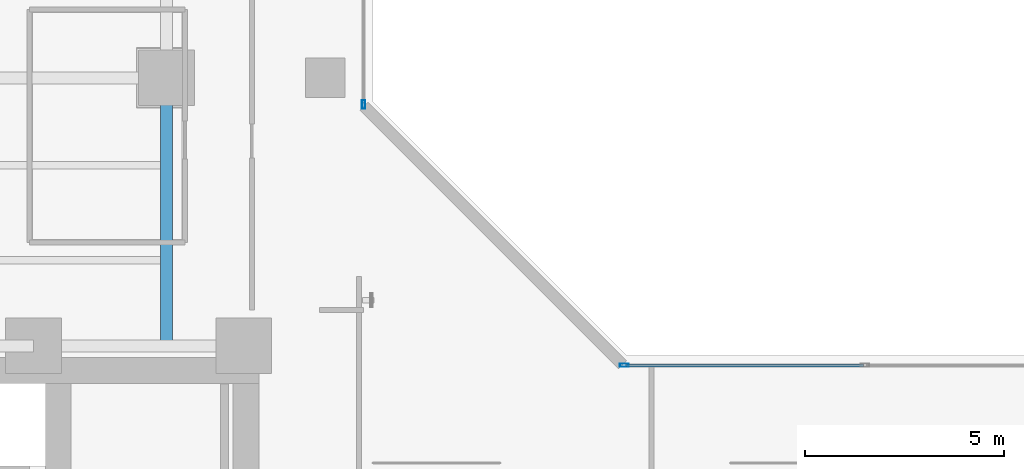
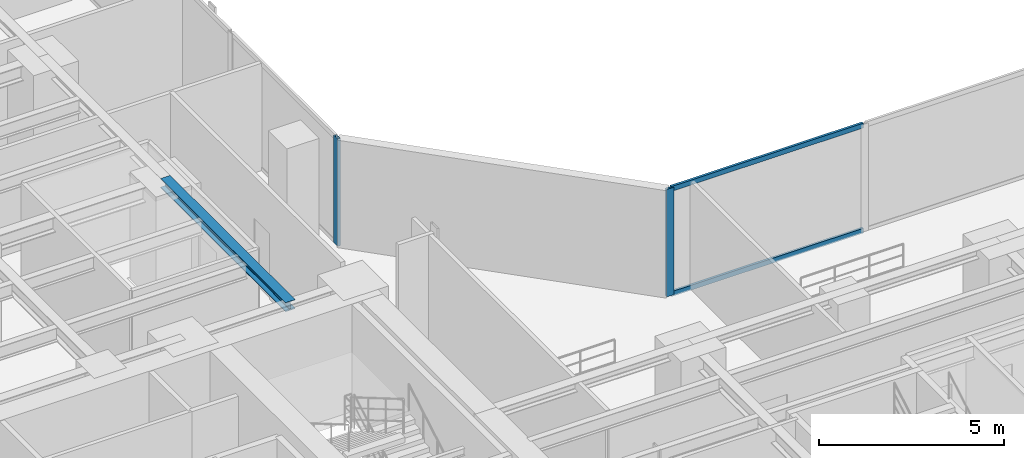
# One storey, part 9 of 26: 4 members, 1 beam, 2 elements without a shape of their own.
"""IFC4 building model written with IfcOpenShell, lengths in metres."""

from ifc_helpers import new_model, si_unit, direction, frame, origin, origin_with_axes, origin_2d, place, context, subcontext, project, spatial, hollow_rectangle, i_section, extrude, source, transform, mapped, material, layer, layer_set, material_profile, profile_set, type_object, element, aggregate, save


model = new_model("IFC4")

# Units and contexts
model_context = context("Model", 3, precision=1e-05, world=origin(), true_north=direction((0.0, 1.0)))
body_context = subcontext(model_context, "Body", "Model", "MODEL_VIEW")
ifc_project = project(units=[si_unit("LENGTHUNIT", "METRE"), si_unit("AREAUNIT", "SQUARE_METRE"), si_unit("VOLUMEUNIT", "CUBIC_METRE"), si_unit("PLANEANGLEUNIT", "RADIAN"), si_unit("MASSUNIT", "GRAM", prefix="KILO")], contexts=[model_context])

# Site, building, storey
site_placement = place(None, origin())
site = spatial("IfcSite", under=ifc_project, at=site_placement, CompositionType="ELEMENT")
building_placement = place(site_placement, origin())
building = spatial("IfcBuilding", under=site, at=building_placement, Name="Kolvaren Waterfront Exchange", CompositionType="ELEMENT")
storey_placement = place(building_placement, frame((0.0, 0.0, 110.699951171875)))
storey = spatial("IfcBuildingStorey", under=building, at=storey_placement, Name="L28", CompositionType="ELEMENT", Elevation=110.699951171875)

# Beam
ifc_material_1 = material(Name="Steel S355", Category="steel")
ifc_material_profile_1 = material_profile(ifc_material_1, i_section(OverallWidth=0.300048828125, OverallDepth=0.300048828125, WebThickness=0.010986328125, FlangeThickness=0.01904296875, FilletRadius=0.027099609375, at=origin_2d()), Name="HEB300")
ifc_profile_set_1 = profile_set([ifc_material_profile_1], Name="Steel S355")
beam_type = type_object("IfcBeamType", Name="STR-BM-HEB300", PredefinedType="SPANDREL", material=ifc_profile_set_1)
beam_placement = place(storey_placement, frame((18.800048828125, 24.449951171875, 3.39013671875), z_axis=(0.0, 1.0, 0.0), x_axis=(-1.0, 0.0, 0.0)))
element("IfcBeam", 1, at=beam_placement, inside=storey, type_object=beam_type, Name="L28 north-arm edge beam 1", PredefinedType="SPANDREL", context=body_context, shape_type="SweptSolid", body=[
    extrude(i_section(OverallWidth=0.300048828125, OverallDepth=0.300048828125, WebThickness=0.010986328125, FlangeThickness=0.01904296875, FilletRadius=0.027099609375, at=origin_2d()), origin(), (0.0, 0.0, 1.0), 6.75),
])

# Curtain wall, member
ifc_material_2 = material(Name="Anodised bronze aluminium 6063-T6", Category="aluminium")
ifc_layer = layer(ifc_material_2, 0.219970703125, Name="Anodised bronze aluminium 6063-T6")
ifc_layer_set = layer_set([ifc_layer], Name="Anodised bronze aluminium 6063-T6")
curtain_wall_type = type_object("IfcCurtainWallType", Name="ARC-CW-SYS4", PredefinedType="USERDEFINED", material=ifc_layer_set)
curtain_wall_1_placement = place(storey_placement, origin())
curtain_wall_1 = element("IfcCurtainWall", 2, at=curtain_wall_1_placement, inside=storey, type_object=curtain_wall_type, Name="L28 stick curtain wall CW4 (CW-L28-NE)", ObjectType="STICK CURTAIN WALL", PredefinedType="USERDEFINED")
ifc_material_3 = material(Name="Anodised aluminium 6063-T6", Category="aluminium")
ifc_material_profile_2 = material_profile(ifc_material_3, hollow_rectangle(XDim=0.080078125, YDim=0.219970703125, WallThickness=0.0048828125, at=origin_2d()), Name="ALU-MUL-220x80x5")
ifc_profile_set_2 = profile_set([ifc_material_profile_2], Name="Anodised aluminium 6063-T6")
member_type_1 = type_object("IfcMemberType", Name="ARC-CWM-220", PredefinedType="MULLION", material=ifc_profile_set_2)
shared_shape_1 = source(origin_with_axes(), body_context, "Body", "SweptSolid", [
    extrude(hollow_rectangle(XDim=0.080078125, YDim=0.219970703125, WallThickness=0.0048828125, at=origin_2d()), origin(), (0.0, 0.0, 1.0), 3.5400390625),
])
member_1_placement = place(storey_placement, frame((23.760009765625, 30.530029296875, 0.0), z_axis=(0.0, 0.0, 1.0), x_axis=(-1.0, 0.0, 0.0)))
member_1 = element("IfcMember", 3, at=member_1_placement, type_object=member_type_1, Name="CW4 mullion 1", PredefinedType="MULLION", context=body_context, shape_type="MappedRepresentation", body=[
    mapped(shared_shape_1, transform((0.0, 0.0, 0.0), x_axis=(1.0, 0.0, 0.0), y_axis=(0.0, 1.0, 0.0), z_axis=(0.0, 0.0, 1.0), scale=1.0)),
])
aggregate(curtain_wall_1, [member_1])

# Curtain wall, members
curtain_wall_2_placement = place(storey_placement, origin())
curtain_wall_2 = element("IfcCurtainWall", 4, at=curtain_wall_2_placement, inside=storey, type_object=curtain_wall_type, Name="L28 stick curtain wall CW4 (CW-L28-EN)", ObjectType="STICK CURTAIN WALL", PredefinedType="USERDEFINED")
member_2_placement = place(storey_placement, frame((30.330078125, 23.9599609375, 0.0), z_axis=(0.0, 0.0, 1.0), x_axis=(0.0, 1.0, 0.0)))
member_2 = element("IfcMember", 5, at=member_2_placement, type_object=member_type_1, Name="CW4 mullion 1", PredefinedType="MULLION", context=body_context, shape_type="MappedRepresentation", body=[
    mapped(shared_shape_1, transform((0.0, 0.0, 0.0), x_axis=(1.0, 0.0, 0.0), y_axis=(0.0, 1.0, 0.0), z_axis=(0.0, 0.0, 1.0), scale=1.0)),
])
ifc_material_profile_3 = material_profile(ifc_material_3, hollow_rectangle(XDim=0.074951171875, YDim=0.159912109375, WallThickness=0.00439453125, at=origin_2d()), Name="ALU-TRN-160x75x4.5")
ifc_profile_set_3 = profile_set([ifc_material_profile_3], Name="Anodised aluminium 6063-T6")
member_type_2 = type_object("IfcMemberType", Name="ARC-CWT-160", PredefinedType="USERDEFINED", material=ifc_profile_set_3)
shared_shape_2 = source(origin_with_axes(), body_context, "Body", "SweptSolid", [
    extrude(hollow_rectangle(XDim=0.074951171875, YDim=0.159912109375, WallThickness=0.00439453125, at=origin_2d()), origin(), (0.0, 0.0, 1.0), 5.982421875),
])
member_3_placement = place(storey_placement, frame((30.3701171875, 23.9599609375, 0.03759765625), z_axis=(1.0, 0.0, 0.0), x_axis=(0.0, 1.0, 0.0)))
member_3 = element("IfcMember", 6, at=member_3_placement, type_object=member_type_2, Name="CW4 transom 1.1", ObjectType="TRANSOM", PredefinedType="USERDEFINED", context=body_context, shape_type="MappedRepresentation", body=[
    mapped(shared_shape_2, transform((0.0, 0.0, 0.0), x_axis=(1.0, 0.0, 0.0), y_axis=(0.0, 1.0, 0.0), z_axis=(0.0, 0.0, 1.0), scale=1.0)),
])
member_4_placement = place(storey_placement, frame((30.3701171875, 23.9599609375, 3.50244140625), z_axis=(1.0, 0.0, 0.0), x_axis=(0.0, 1.0, 0.0)))
member_4 = element("IfcMember", 7, at=member_4_placement, type_object=member_type_2, Name="CW4 transom 1.2", ObjectType="TRANSOM", PredefinedType="USERDEFINED", context=body_context, shape_type="MappedRepresentation", body=[
    mapped(shared_shape_2, transform((0.0, 0.0, 0.0), x_axis=(1.0, 0.0, 0.0), y_axis=(0.0, 1.0, 0.0), z_axis=(0.0, 0.0, 1.0), scale=1.0)),
])
aggregate(curtain_wall_2, [member_2, member_3, member_4])

save(model, "model.ifc")
